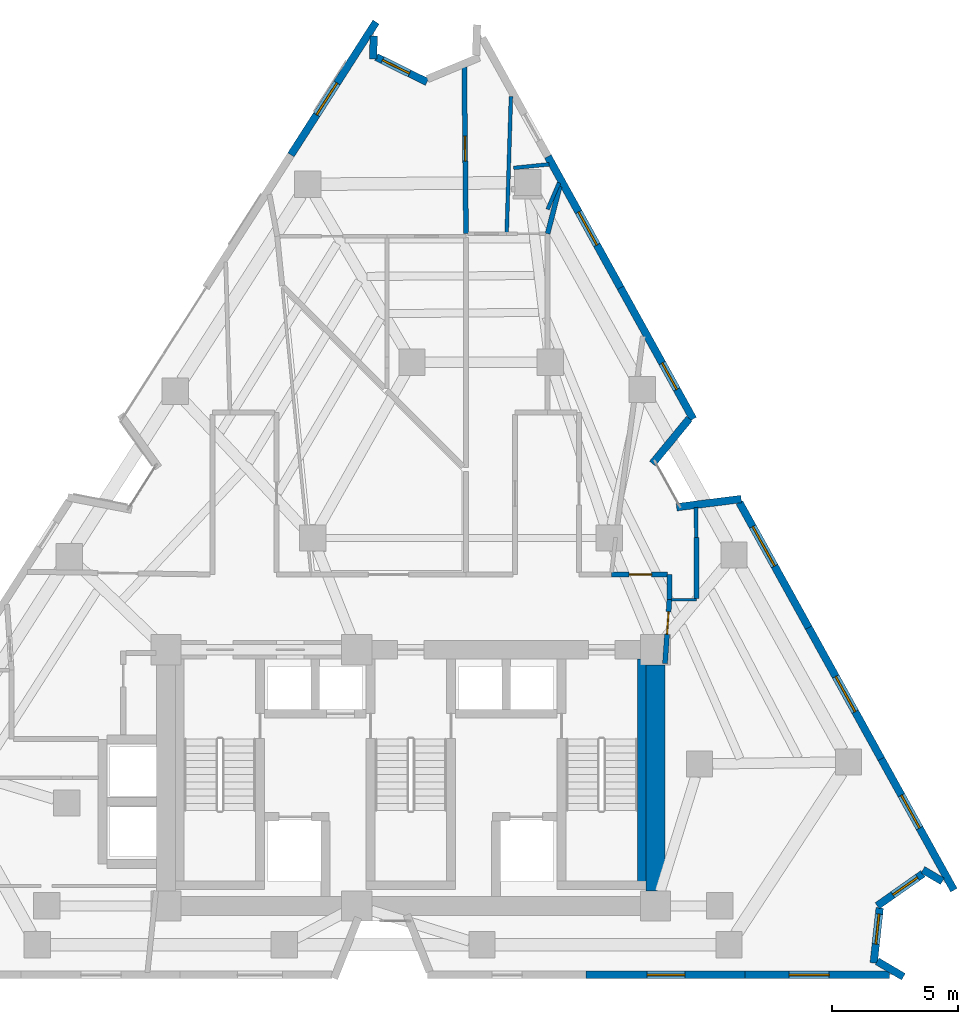
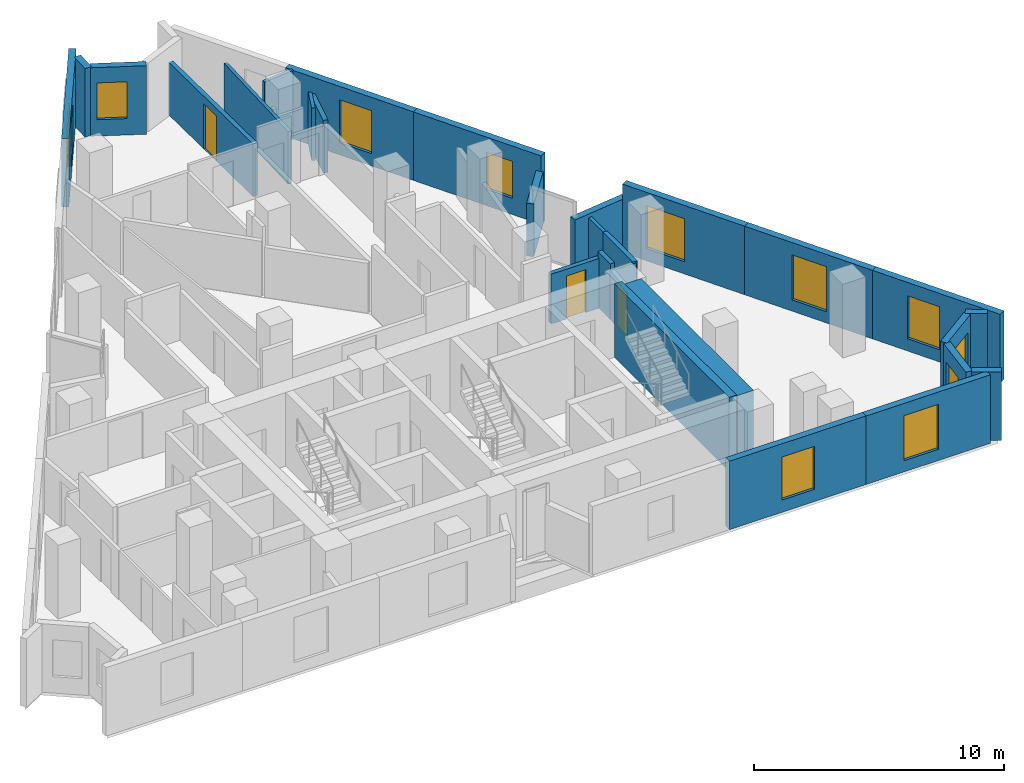
# One storey, part 8 of 10: 29 walls, 11 windows, 3 doors, 14 openings.
"""IFC4 building model written with IfcOpenShell, lengths in metres."""

from ifc_helpers import new_model, si_unit, direction, frame, frame_2d, origin, place, context, subcontext, project, spatial, rectangle, extrude, material, layer, layer_set, type_object, element, fill, save


model = new_model("IFC4")

# Units and contexts
model_context = context("Model", 3, precision=1e-05, world=origin(), true_north=direction((0.0, 1.0)))
body_context = subcontext(model_context, "Body", "Model", "MODEL_VIEW")
ifc_project = project(units=[si_unit("LENGTHUNIT", "METRE"), si_unit("AREAUNIT", "SQUARE_METRE"), si_unit("VOLUMEUNIT", "CUBIC_METRE"), si_unit("PLANEANGLEUNIT", "RADIAN"), si_unit("MASSUNIT", "GRAM", prefix="KILO")], contexts=[model_context])

# Site, building, storey
site_placement = place(None, origin())
site = spatial("IfcSite", under=ifc_project, at=site_placement, CompositionType="ELEMENT")
building_placement = place(site_placement, origin())
building = spatial("IfcBuilding", under=site, at=building_placement, Name="Almagre Mirador Tower", CompositionType="ELEMENT")
storey_placement = place(building_placement, frame((0.0, 0.0, 164.39990234375)))
storey = spatial("IfcBuildingStorey", under=building, at=storey_placement, Name="L42", CompositionType="ELEMENT", Elevation=164.39990234375)

# Wall, opening, window
ifc_material_1 = material(Name="Precast concrete C50/60", Category="concrete")
ifc_layer_1 = layer(ifc_material_1, 0.300048828125)
ifc_layer_set_1 = layer_set([ifc_layer_1], Name="Precast concrete C50/60")
wall_type_1 = type_object("IfcWallType", Name="WAL-EXT-300", PredefinedType="SOLIDWALL", material=ifc_layer_set_1)
wall_1_placement = place(storey_placement, frame((32.5283203125, 34.460693359375, 0.0), z_axis=(0.0, 0.0, 1.0), x_axis=(0.539505778621, 0.841981896976, 0.0)))
wall_1 = element("IfcWall", 1, at=wall_1_placement, inside=storey, type_object=wall_type_1, Name="L42 expressed almagre precast frame wall 04", PredefinedType="SOLIDWALL", context=body_context, shape_type="SweptSolid", body=[
    extrude(rectangle(XDim=6.281982421875, YDim=0.300048828125, at=frame_2d((3.14111328125, 0.0))), origin(), (0.0, 0.0, 1.0), 3.35009765625),
])
opening_1_placement = place(wall_1_placement, frame((1.89990234375, 0.0, 0.60009765625)))
opening_1 = element("IfcOpeningElement", 2, at=opening_1_placement, cuts=wall_1, Name="Opening WN-03", PredefinedType="OPENING", context=body_context, shape_type="SweptSolid", body=[
    extrude(rectangle(XDim=1.5, YDim=2.10009765625, at=frame_2d((0.75, 1.050048828125))), frame((0.0, 0.159902, 0.0), z_axis=(0.0, -1.0, 0.0), x_axis=(1.0, 0.0, 0.0)), (0.0, 0.0, 1.0), 0.320049),
])
ifc_material_2 = material(Name="Dark solar-control laminated hurricane glass", Category="glass")
window_type_1 = type_object("IfcWindowType", Name="WIN-1500X2100", PartitioningType="DOUBLE_PANEL_VERTICAL", PredefinedType="WINDOW", material=ifc_material_2)
window_1_placement = place(opening_1_placement, origin())
window_1 = element("IfcWindow", 3, at=window_1_placement, inside=storey, type_object=window_type_1, Name="L42 recessed hurricane window L42-UJ-ST", OverallHeight=2.10009765625, OverallWidth=1.5, PartitioningType="SINGLE_PANEL", PredefinedType="WINDOW", context=body_context, shape_type="SweptSolid", body=[
    extrude(rectangle(XDim=1.5, YDim=2.10009765625, at=frame_2d((0.75, 1.050048828125))), frame((0.0, 0.030029296875, 0.0), z_axis=(0.0, -1.0, 0.0), x_axis=(1.0, 0.0, 0.0)), (0.0, 0.0, 1.0), 0.06005859375),
])
fill(opening_1, window_1)

# Wall
wall_2_placement = place(storey_placement, frame((35.827880859375, 39.197265625, 0.0), z_axis=(0.0, 0.0, 1.0), x_axis=(-0.03185633333, -0.999492458214, 0.0)))
element("IfcWall", 4, at=wall_2_placement, inside=storey, type_object=wall_type_1, Name="L42 expressed almagre precast frame wall 05", PredefinedType="SOLIDWALL", context=body_context, shape_type="SweptSolid", body=[
    extrude(rectangle(XDim=0.919677734375, YDim=0.300048828125, at=frame_2d((0.4599609375, 0.0))), origin(), (0.0, 0.0, 1.0), 3.35009765625),
])

# Wall, opening, window
wall_3_placement = place(storey_placement, frame((35.928466796875, 38.35595703125, 0.0), z_axis=(0.0, 0.0, 1.0), x_axis=(0.896845505116, -0.442343915922, 0.0)))
wall_3 = element("IfcWall", 5, at=wall_3_placement, inside=storey, type_object=wall_type_1, Name="L42 expressed almagre precast frame wall 06", PredefinedType="SOLIDWALL", context=body_context, shape_type="SweptSolid", body=[
    extrude(rectangle(XDim=2.2490234375, YDim=0.300048828125, at=frame_2d((1.12451171875, 0.0))), origin(), (0.0, 0.0, 1.0), 3.35009765625),
])
opening_2_placement = place(wall_3_placement, frame((0.27001953125, 0.0, 0.800048828125)))
opening_2 = element("IfcOpeningElement", 6, at=opening_2_placement, cuts=wall_3, Name="Opening WN-04", PredefinedType="OPENING", context=body_context, shape_type="SweptSolid", body=[
    extrude(rectangle(XDim=1.199951171875, YDim=1.800048828125, at=frame_2d((0.60009765625, 0.89990234375))), frame((0.0, 0.159902, 0.0), z_axis=(0.0, -1.0, 0.0), x_axis=(1.0, 0.0, 0.0)), (0.0, 0.0, 1.0), 0.320049),
])
ifc_material_3 = material(Name="Dark solar-control laminated hurricane glass", Category="glass")
window_type_2 = type_object("IfcWindowType", Name="WIN-1200X1800", PartitioningType="SINGLE_PANEL", PredefinedType="WINDOW", material=ifc_material_3)
window_2_placement = place(opening_2_placement, origin())
window_2 = element("IfcWindow", 7, at=window_2_placement, inside=storey, type_object=window_type_2, Name="L42 recessed hurricane window L42-UJ-ST", OverallHeight=1.800048828125, OverallWidth=1.199951171875, PartitioningType="SINGLE_PANEL", PredefinedType="WINDOW", context=body_context, shape_type="SweptSolid", body=[
    extrude(rectangle(XDim=1.199951171875, YDim=1.800048828125, at=frame_2d((0.60009765625, 0.89990234375))), frame((0.0, 0.030029296875, 0.0), z_axis=(0.0, -1.0, 0.0), x_axis=(1.0, 0.0, 0.0)), (0.0, 0.0, 1.0), 0.06005859375),
])
fill(opening_2, window_2)

wall_4_placement = place(storey_placement, frame((42.76220703125, 34.394775390625, 0.0), z_axis=(0.0, 0.0, 1.0), x_axis=(0.484157246346, -0.874981005972, 0.0)))
wall_4 = element("IfcWall", 8, at=wall_4_placement, inside=storey, type_object=wall_type_1, Name="L42 expressed almagre precast frame wall 10", PredefinedType="SOLIDWALL", context=body_context, shape_type="SweptSolid", body=[
    extrude(rectangle(XDim=5.974365234375, YDim=0.300048828125, at=frame_2d((2.9873046875, 0.0))), origin(), (0.0, 0.0, 1.0), 3.35009765625),
])
opening_3_placement = place(wall_4_placement, frame((2.52490234375, 0.0, 0.60009765625)))
opening_3 = element("IfcOpeningElement", 9, at=opening_3_placement, cuts=wall_4, Name="Opening WN-03", PredefinedType="OPENING", context=body_context, shape_type="SweptSolid", body=[
    extrude(rectangle(XDim=1.5, YDim=2.10009765625, at=frame_2d((0.75, 1.050048828125))), frame((0.0, 0.159902, 0.0), z_axis=(0.0, -1.0, 0.0), x_axis=(1.0, 0.0, 0.0)), (0.0, 0.0, 1.0), 0.320049),
])
window_3_placement = place(opening_3_placement, origin())
window_3 = element("IfcWindow", 10, at=window_3_placement, inside=storey, type_object=window_type_1, Name="L42 recessed hurricane window L42-RST-H", OverallHeight=2.10009765625, OverallWidth=1.5, PartitioningType="SINGLE_PANEL", PredefinedType="WINDOW", context=body_context, shape_type="SweptSolid", body=[
    extrude(rectangle(XDim=1.5, YDim=2.10009765625, at=frame_2d((0.75, 1.050048828125))), frame((0.0, 0.030029296875, 0.0), z_axis=(0.0, -1.0, 0.0), x_axis=(1.0, 0.0, 0.0)), (0.0, 0.0, 1.0), 0.06005859375),
])
fill(opening_3, window_3)

wall_5_placement = place(storey_placement, frame((45.65478515625, 29.167236328125, 0.0), z_axis=(0.0, 0.0, 1.0), x_axis=(0.484202501475, -0.874955963215, 0.0)))
wall_5 = element("IfcWall", 11, at=wall_5_placement, inside=storey, type_object=wall_type_1, Name="L42 expressed almagre precast frame wall 11", PredefinedType="SOLIDWALL", context=body_context, shape_type="SweptSolid", body=[
    extrude(rectangle(XDim=5.974853515625, YDim=0.300048828125, at=frame_2d((2.9873046875, 0.0))), origin(), (0.0, 0.0, 1.0), 3.35009765625),
])
opening_4_placement = place(wall_5_placement, frame((3.425048828125, 0.0, 0.800048828125)))
opening_4 = element("IfcOpeningElement", 12, at=opening_4_placement, cuts=wall_5, Name="Opening WN-04", PredefinedType="OPENING", context=body_context, shape_type="SweptSolid", body=[
    extrude(rectangle(XDim=1.199951171875, YDim=1.800048828125, at=frame_2d((0.60009765625, 0.89990234375))), frame((0.0, 0.159902, 0.0), z_axis=(0.0, -1.0, 0.0), x_axis=(1.0, 0.0, 0.0)), (0.0, 0.0, 1.0), 0.320049),
])
window_4_placement = place(opening_4_placement, origin())
window_4 = element("IfcWindow", 13, at=window_4_placement, inside=storey, type_object=window_type_2, Name="L42 recessed hurricane window L42-UD-KT", OverallHeight=1.800048828125, OverallWidth=1.199951171875, PartitioningType="SINGLE_PANEL", PredefinedType="WINDOW", context=body_context, shape_type="SweptSolid", body=[
    extrude(rectangle(XDim=1.199951171875, YDim=1.800048828125, at=frame_2d((0.60009765625, 0.89990234375))), frame((0.0, 0.030029296875, 0.0), z_axis=(0.0, -1.0, 0.0), x_axis=(1.0, 0.0, 0.0)), (0.0, 0.0, 1.0), 0.06005859375),
])
fill(opening_4, window_4)

# Walls
wall_6_placement = place(storey_placement, frame((48.391357421875, 23.953857421875, 0.0), z_axis=(0.0, 0.0, 1.0), x_axis=(-0.634082112051, -0.773265720937, 0.0)))
element("IfcWall", 14, at=wall_6_placement, inside=storey, type_object=wall_type_1, Name="L42 expressed almagre precast frame wall 12", PredefinedType="SOLIDWALL", context=body_context, shape_type="SweptSolid", body=[
    extrude(rectangle(XDim=2.313720703125, YDim=0.300048828125, at=frame_2d((1.15673828125, 0.0))), origin(), (0.0, 0.0, 1.0), 2.5751953125),
])
wall_7_placement = place(storey_placement, frame((47.885986328125, 20.42724609375, 0.0), z_axis=(0.0, 0.0, 1.0), x_axis=(0.99195455838, 0.126594447388, 0.0)))
element("IfcWall", 15, at=wall_7_placement, inside=storey, type_object=wall_type_1, Name="L42 expressed almagre precast frame wall 13", PredefinedType="SOLIDWALL", context=body_context, shape_type="SweptSolid", body=[
    extrude(rectangle(XDim=2.59375, YDim=0.300048828125, at=frame_2d((1.296875, 0.0))), origin(), (0.0, 0.0, 1.0), 2.5751953125),
])

# Wall, opening, window
wall_8_placement = place(storey_placement, frame((50.3876953125, 20.615478515625, 0.0), z_axis=(0.0, 0.0, 1.0), x_axis=(0.484189890205, -0.8749629422, 0.0)))
wall_8 = element("IfcWall", 16, at=wall_8_placement, inside=storey, type_object=wall_type_1, Name="L42 expressed almagre precast frame wall 14", PredefinedType="SOLIDWALL", context=body_context, shape_type="SweptSolid", body=[
    extrude(rectangle(XDim=5.69482421875, YDim=0.300048828125, at=frame_2d((2.847412109375, 0.0))), origin(), (0.0, 0.0, 1.0), 3.35009765625),
])
opening_5_placement = place(wall_8_placement, frame((1.094970703125, 0.0, 0.60009765625)))
opening_5 = element("IfcOpeningElement", 17, at=opening_5_placement, cuts=wall_8, Name="Opening WN-01", PredefinedType="OPENING", context=body_context, shape_type="SweptSolid", body=[
    extrude(rectangle(XDim=1.800048828125, YDim=2.10009765625, at=frame_2d((0.89990234375, 1.050048828125))), frame((0.0, 0.159902, 0.0), z_axis=(0.0, -1.0, 0.0), x_axis=(1.0, 0.0, 0.0)), (0.0, 0.0, 1.0), 0.320049),
])
ifc_material_4 = material(Name="Dark solar-control laminated hurricane glass", Category="glass")
window_type_3 = type_object("IfcWindowType", Name="WIN-1800X2100", PartitioningType="DOUBLE_PANEL_VERTICAL", PredefinedType="WINDOW", material=ifc_material_4)
window_5_placement = place(opening_5_placement, origin())
window_5 = element("IfcWindow", 18, at=window_5_placement, inside=storey, type_object=window_type_3, Name="L42 recessed hurricane window L42-UD-BT", OverallHeight=2.10009765625, OverallWidth=1.800048828125, PartitioningType="SINGLE_PANEL", PredefinedType="WINDOW", context=body_context, shape_type="SweptSolid", body=[
    extrude(rectangle(XDim=1.800048828125, YDim=2.10009765625, at=frame_2d((0.89990234375, 1.050048828125))), frame((0.0, 0.030029296875, 0.0), z_axis=(0.0, -1.0, 0.0), x_axis=(1.0, 0.0, 0.0)), (0.0, 0.0, 1.0), 0.06005859375),
])
fill(opening_5, window_5)

wall_9_placement = place(storey_placement, frame((53.14501953125, 15.6328125, 0.0), z_axis=(0.0, 0.0, 1.0), x_axis=(0.484188530596, -0.874963694584, 0.0)))
wall_9 = element("IfcWall", 19, at=wall_9_placement, inside=storey, type_object=wall_type_1, Name="L42 expressed almagre precast frame wall 15", PredefinedType="SOLIDWALL", context=body_context, shape_type="SweptSolid", body=[
    extrude(rectangle(XDim=5.974609375, YDim=0.300048828125, at=frame_2d((2.9873046875, 0.0))), origin(), (0.0, 0.0, 1.0), 3.35009765625),
])
opening_6_placement = place(wall_9_placement, frame((2.22509765625, 0.0, 0.550048828125)))
opening_6 = element("IfcOpeningElement", 20, at=opening_6_placement, cuts=wall_9, Name="Opening WN-06", PredefinedType="OPENING", context=body_context, shape_type="SweptSolid", body=[
    extrude(rectangle(XDim=1.60009765625, YDim=2.199951171875, at=frame_2d((0.800048828125, 1.10009765625))), frame((0.0, 0.159902, 0.0), z_axis=(0.0, -1.0, 0.0), x_axis=(1.0, 0.0, 0.0)), (0.0, 0.0, 1.0), 0.320049),
])
ifc_material_5 = material(Name="Dark solar-control laminated hurricane glass", Category="glass")
window_type_4 = type_object("IfcWindowType", Name="WIN-1600X2200", PartitioningType="DOUBLE_PANEL_VERTICAL", PredefinedType="WINDOW", material=ifc_material_5)
window_6_placement = place(opening_6_placement, origin())
window_6 = element("IfcWindow", 21, at=window_6_placement, inside=storey, type_object=window_type_4, Name="L42 recessed hurricane window L42-UC-LV", OverallHeight=2.199951171875, OverallWidth=1.60009765625, PartitioningType="SINGLE_PANEL", PredefinedType="WINDOW", context=body_context, shape_type="SweptSolid", body=[
    extrude(rectangle(XDim=1.60009765625, YDim=2.199951171875, at=frame_2d((0.800048828125, 1.10009765625))), frame((0.0, 0.030029296875, 0.0), z_axis=(0.0, -1.0, 0.0), x_axis=(1.0, 0.0, 0.0)), (0.0, 0.0, 1.0), 0.06005859375),
])
fill(opening_6, window_6)

wall_10_placement = place(storey_placement, frame((56.037841796875, 10.4052734375, 0.0), z_axis=(0.0, 0.0, 1.0), x_axis=(0.484202501475, -0.874955963215, 0.0)))
wall_10 = element("IfcWall", 22, at=wall_10_placement, inside=storey, type_object=wall_type_1, Name="L42 expressed almagre precast frame wall 16", PredefinedType="SOLIDWALL", context=body_context, shape_type="SweptSolid", body=[
    extrude(rectangle(XDim=5.974853515625, YDim=0.300048828125, at=frame_2d((2.9873046875, 0.0))), origin(), (0.0, 0.0, 1.0), 3.35009765625),
])
opening_7_placement = place(wall_10_placement, frame((1.64990234375, 0.0, 0.60009765625)))
opening_7 = element("IfcOpeningElement", 23, at=opening_7_placement, cuts=wall_10, Name="Opening WN-03", PredefinedType="OPENING", context=body_context, shape_type="SweptSolid", body=[
    extrude(rectangle(XDim=1.5, YDim=2.10009765625, at=frame_2d((0.75, 1.050048828125))), frame((0.0, 0.159902, 0.0), z_axis=(0.0, -1.0, 0.0), x_axis=(1.0, 0.0, 0.0)), (0.0, 0.0, 1.0), 0.320049),
])
window_7_placement = place(opening_7_placement, origin())
window_7 = element("IfcWindow", 24, at=window_7_placement, inside=storey, type_object=window_type_1, Name="L42 recessed hurricane window L42-UC-MB", OverallHeight=2.10009765625, OverallWidth=1.5, PartitioningType="SINGLE_PANEL", PredefinedType="WINDOW", context=body_context, shape_type="SweptSolid", body=[
    extrude(rectangle(XDim=1.5, YDim=2.10009765625, at=frame_2d((0.75, 1.050048828125))), frame((0.0, 0.030029296875, 0.0), z_axis=(0.0, -1.0, 0.0), x_axis=(1.0, 0.0, 0.0)), (0.0, 0.0, 1.0), 0.06005859375),
])
fill(opening_7, window_7)

# Wall
wall_11_placement = place(storey_placement, frame((58.47119140625, 5.53125, 0.0), z_axis=(0.0, 0.0, 1.0), x_axis=(-0.861466375715, 0.5078146153, 0.0)))
element("IfcWall", 25, at=wall_11_placement, inside=storey, type_object=wall_type_1, Name="L42 expressed almagre precast frame wall 17", PredefinedType="SOLIDWALL", context=body_context, shape_type="SweptSolid", body=[
    extrude(rectangle(XDim=0.8994140625, YDim=0.300048828125, at=frame_2d((0.44970703125, 0.0))), origin(), (0.0, 0.0, 1.0), 3.35009765625),
])

# Wall, opening, window
wall_12_placement = place(storey_placement, frame((57.698486328125, 5.83349609375, 0.0), z_axis=(0.0, 0.0, 1.0), x_axis=(-0.817967042546, -0.575265084382, 0.0)))
wall_12 = element("IfcWall", 26, at=wall_12_placement, inside=storey, type_object=wall_type_1, Name="L42 expressed almagre precast frame wall 18", PredefinedType="SOLIDWALL", context=body_context, shape_type="SweptSolid", body=[
    extrude(rectangle(XDim=2.22509765625, YDim=0.300048828125, at=frame_2d((1.112548828125, 0.0))), origin(), (0.0, 0.0, 1.0), 3.35009765625),
])
opening_8_placement = place(wall_12_placement, frame((0.264892578125, 0.0, 0.800048828125)))
opening_8 = element("IfcOpeningElement", 27, at=opening_8_placement, cuts=wall_12, Name="Opening WN-04", PredefinedType="OPENING", context=body_context, shape_type="SweptSolid", body=[
    extrude(rectangle(XDim=1.199951171875, YDim=1.800048828125, at=frame_2d((0.60009765625, 0.89990234375))), frame((0.0, 0.159902, 0.0), z_axis=(0.0, -1.0, 0.0), x_axis=(1.0, 0.0, 0.0)), (0.0, 0.0, 1.0), 0.320049),
])
window_8_placement = place(opening_8_placement, origin())
window_8 = element("IfcWindow", 28, at=window_8_placement, inside=storey, type_object=window_type_2, Name="L42 recessed hurricane window L42-UC-MB", OverallHeight=1.800048828125, OverallWidth=1.199951171875, PartitioningType="SINGLE_PANEL", PredefinedType="WINDOW", context=body_context, shape_type="SweptSolid", body=[
    extrude(rectangle(XDim=1.199951171875, YDim=1.800048828125, at=frame_2d((0.60009765625, 0.89990234375))), frame((0.0, 0.030029296875, 0.0), z_axis=(0.0, -1.0, 0.0), x_axis=(1.0, 0.0, 0.0)), (0.0, 0.0, 1.0), 0.06005859375),
])
fill(opening_8, window_8)

wall_13_placement = place(storey_placement, frame((55.975341796875, 4.469970703125, 0.0), z_axis=(0.0, 0.0, 1.0), x_axis=(-0.107733264194, -0.994179834731, 0.0)))
wall_13 = element("IfcWall", 29, at=wall_13_placement, inside=storey, type_object=wall_type_1, Name="L42 expressed almagre precast frame wall 19", PredefinedType="SOLIDWALL", context=body_context, shape_type="SweptSolid", body=[
    extrude(rectangle(XDim=2.205078125, YDim=0.300048828125, at=frame_2d((1.1025390625, 0.0))), origin(), (0.0, 0.0, 1.0), 3.35009765625),
])
opening_9_placement = place(wall_13_placement, frame((0.2451171875, 0.0, 0.800048828125)))
opening_9 = element("IfcOpeningElement", 30, at=opening_9_placement, cuts=wall_13, Name="Opening WN-04", PredefinedType="OPENING", context=body_context, shape_type="SweptSolid", body=[
    extrude(rectangle(XDim=1.199951171875, YDim=1.800048828125, at=frame_2d((0.60009765625, 0.89990234375))), frame((0.0, 0.159902, 0.0), z_axis=(0.0, -1.0, 0.0), x_axis=(1.0, 0.0, 0.0)), (0.0, 0.0, 1.0), 0.320049),
])
window_9_placement = place(opening_9_placement, origin())
window_9 = element("IfcWindow", 31, at=window_9_placement, inside=storey, type_object=window_type_2, Name="L42 recessed hurricane window L42-UC-MB", OverallHeight=1.800048828125, OverallWidth=1.199951171875, PartitioningType="SINGLE_PANEL", PredefinedType="WINDOW", context=body_context, shape_type="SweptSolid", body=[
    extrude(rectangle(XDim=1.199951171875, YDim=1.800048828125, at=frame_2d((0.60009765625, 0.89990234375))), frame((0.0, 0.030029296875, 0.0), z_axis=(0.0, -1.0, 0.0), x_axis=(1.0, 0.0, 0.0)), (0.0, 0.0, 1.0), 0.06005859375),
])
fill(opening_9, window_9)

# Wall
wall_14_placement = place(storey_placement, frame((55.87353515625, 2.345947265625, 0.0), z_axis=(0.0, 0.0, 1.0), x_axis=(0.861577684209, -0.50762574213, 0.0)))
element("IfcWall", 32, at=wall_14_placement, inside=storey, type_object=wall_type_1, Name="L42 expressed almagre precast frame wall 20", PredefinedType="SOLIDWALL", context=body_context, shape_type="SweptSolid", body=[
    extrude(rectangle(XDim=1.21533203125, YDim=0.300048828125, at=frame_2d((0.607666015625, 0.0))), origin(), (0.0, 0.0, 1.0), 3.35009765625),
])

# Wall, opening, window
wall_15_placement = place(storey_placement, frame((56.360107421875, 1.800048828125, 0.0), z_axis=(0.0, 0.0, 1.0), x_axis=(-1.0, 0.0, 0.0)))
wall_15 = element("IfcWall", 33, at=wall_15_placement, inside=storey, type_object=wall_type_1, Name="L42 expressed almagre precast frame wall 21", PredefinedType="SOLIDWALL", context=body_context, shape_type="SweptSolid", body=[
    extrude(rectangle(XDim=5.746826171875, YDim=0.300048828125, at=frame_2d((2.87353515625, 0.0))), origin(), (0.0, 0.0, 1.0), 3.35009765625),
])
opening_10_placement = place(wall_15_placement, frame((2.39501953125, 0.0, 0.550048828125)))
opening_10 = element("IfcOpeningElement", 34, at=opening_10_placement, cuts=wall_15, Name="Opening WN-06", PredefinedType="OPENING", context=body_context, shape_type="SweptSolid", body=[
    extrude(rectangle(XDim=1.60009765625, YDim=2.199951171875, at=frame_2d((0.800048828125, 1.10009765625))), frame((0.0, 0.159902, 0.0), z_axis=(0.0, -1.0, 0.0), x_axis=(1.0, 0.0, 0.0)), (0.0, 0.0, 1.0), 0.320049),
])
window_10_placement = place(opening_10_placement, origin())
window_10 = element("IfcWindow", 35, at=window_10_placement, inside=storey, type_object=window_type_4, Name="L42 recessed hurricane window L42-UC-KT", OverallHeight=2.199951171875, OverallWidth=1.60009765625, PartitioningType="SINGLE_PANEL", PredefinedType="WINDOW", context=body_context, shape_type="SweptSolid", body=[
    extrude(rectangle(XDim=1.60009765625, YDim=2.199951171875, at=frame_2d((0.800048828125, 1.10009765625))), frame((0.0, 0.030029296875, 0.0), z_axis=(0.0, -1.0, 0.0), x_axis=(1.0, 0.0, 0.0)), (0.0, 0.0, 1.0), 0.06005859375),
])
fill(opening_10, window_10)

wall_16_placement = place(storey_placement, frame((50.61328125, 1.800048828125, 0.0), z_axis=(0.0, 0.0, 1.0), x_axis=(-1.0, 0.0, 0.0)))
wall_16 = element("IfcWall", 36, at=wall_16_placement, inside=storey, type_object=wall_type_1, Name="L42 expressed almagre precast frame wall 22", PredefinedType="SOLIDWALL", context=body_context, shape_type="SweptSolid", body=[
    extrude(rectangle(XDim=6.32666015625, YDim=0.300048828125, at=frame_2d((3.163330078125, 0.0))), origin(), (0.0, 0.0, 1.0), 3.35009765625),
])
opening_11_placement = place(wall_16_placement, frame((2.39990234375, 0.0, 0.60009765625)))
opening_11 = element("IfcOpeningElement", 37, at=opening_11_placement, cuts=wall_16, Name="Opening WN-03", PredefinedType="OPENING", context=body_context, shape_type="SweptSolid", body=[
    extrude(rectangle(XDim=1.5, YDim=2.10009765625, at=frame_2d((0.75, 1.050048828125))), frame((0.0, 0.159902, 0.0), z_axis=(0.0, -1.0, 0.0), x_axis=(1.0, 0.0, 0.0)), (0.0, 0.0, 1.0), 0.320049),
])
window_11_placement = place(opening_11_placement, origin())
window_11 = element("IfcWindow", 38, at=window_11_placement, inside=storey, type_object=window_type_1, Name="L42 recessed hurricane window L42-RST-B", OverallHeight=2.10009765625, OverallWidth=1.5, PartitioningType="SINGLE_PANEL", PredefinedType="WINDOW", context=body_context, shape_type="SweptSolid", body=[
    extrude(rectangle(XDim=1.5, YDim=2.10009765625, at=frame_2d((0.75, 1.050048828125))), frame((0.0, 0.030029296875, 0.0), z_axis=(0.0, -1.0, 0.0), x_axis=(1.0, 0.0, 0.0)), (0.0, 0.0, 1.0), 0.06005859375),
])
fill(opening_11, window_11)

# Walls
ifc_material_6 = material(Name="Gypsum acoustic stud partition", Category="other")
ifc_layer_2 = layer(ifc_material_6, 0.10009765625)
ifc_layer_set_2 = layer_set([ifc_layer_2], Name="Gypsum acoustic stud partition")
wall_type_2 = type_object("IfcWallType", Name="WAL-PRT-100-CLS", PredefinedType="PARTITIONING", material=ifc_layer_set_2)
wall_17_placement = place(storey_placement, frame((48.679931640625, 16.75, 0.0), z_axis=(0.0, 0.0, 1.0), x_axis=(-1.0, 0.0, 0.0)))
element("IfcWall", 39, at=wall_17_placement, inside=storey, type_object=wall_type_2, Name="L42 interior partition 032", PredefinedType="PARTITIONING", context=body_context, shape_type="SweptSolid", body=[
    extrude(rectangle(XDim=0.994873046875, YDim=0.10009765625, at=frame_2d((0.49755859375, 0.0))), origin(), (0.0, 0.0, 1.0), 2.39306640625),
])
ifc_material_7 = material(Name="Gypsum acoustic stud partition", Category="other")
ifc_layer_3 = layer(ifc_material_7, 0.14990234375)
ifc_layer_set_3 = layer_set([ifc_layer_3], Name="Gypsum acoustic stud partition")
wall_type_3 = type_object("IfcWallType", Name="WAL-PRT-150-STD", PredefinedType="PARTITIONING", material=ifc_layer_set_3)
wall_18_placement = place(storey_placement, frame((41.12109375, 31.367431640625, 0.0), z_axis=(0.0, 0.0, 1.0), x_axis=(0.03100123119, 0.999519346318, 0.0)))
element("IfcWall", 40, at=wall_18_placement, inside=storey, type_object=wall_type_3, Name="L42 interior partition 060", PredefinedType="PARTITIONING", context=body_context, shape_type="SweptSolid", body=[
    extrude(rectangle(XDim=5.418212890625, YDim=0.14990234375, at=frame_2d((2.708984375, 0.0))), origin(), (0.0, 0.0, 1.0), 2.570068359375),
])
wall_19_placement = place(storey_placement, frame((48.656982421875, 20.426025390625, 0.0), z_axis=(0.0, 0.0, 1.0), x_axis=(0.009108933821, -0.999958512802, 0.0)))
element("IfcWall", 41, at=wall_19_placement, inside=storey, type_object=wall_type_3, Name="L42 interior partition 061", PredefinedType="PARTITIONING", context=body_context, shape_type="SweptSolid", body=[
    extrude(rectangle(XDim=1.2060546875, YDim=0.14990234375, at=frame_2d((0.60302734375, 0.0))), origin(), (0.0, 0.0, 1.0), 2.39306640625),
])
wall_20_placement = place(storey_placement, frame((42.75, 32.2900390625, 0.0), z_axis=(0.0, 0.0, 1.0), x_axis=(0.3955030033, 0.918464683252, 0.0)))
element("IfcWall", 42, at=wall_20_placement, inside=storey, type_object=wall_type_3, Name="L42 interior partition 064", PredefinedType="PARTITIONING", context=body_context, shape_type="SweptSolid", body=[
    extrude(rectangle(XDim=1.153076171875, YDim=0.14990234375, at=frame_2d((0.57666015625, 0.0))), origin(), (0.0, 0.0, 1.0), 2.570068359375),
])
wall_21_placement = place(storey_placement, frame((41.39794921875, 33.93994140625, 0.0), z_axis=(0.0, 0.0, 1.0), x_axis=(0.994906914974, 0.10079796891, 0.0)))
element("IfcWall", 43, at=wall_21_placement, inside=storey, type_object=wall_type_3, Name="L42 interior partition 067", PredefinedType="PARTITIONING", context=body_context, shape_type="SweptSolid", body=[
    extrude(rectangle(XDim=1.41943359375, YDim=0.14990234375, at=frame_2d((0.709716796875, 0.0))), origin(), (0.0, 0.0, 1.0), 3.35009765625),
])

# Wall, opening, door
ifc_material_8 = material(Name="Gypsum acoustic stud partition", Category="other")
ifc_layer_4 = layer(ifc_material_8, 0.199951171875)
ifc_layer_set_4 = layer_set([ifc_layer_4], Name="Gypsum acoustic stud partition")
wall_type_4 = type_object("IfcWallType", Name="WAL-PRT-200-EI60", PredefinedType="PARTITIONING", material=ifc_layer_set_4)
wall_22_placement = place(storey_placement, frame((47.425048828125, 14.199951171875, 0.0), z_axis=(0.0, 0.0, 1.0), x_axis=(0.068484119878, 0.997652206595, 0.0)))
wall_22 = element("IfcWall", 44, at=wall_22_placement, inside=storey, type_object=wall_type_4, Name="L42 interior partition 004", PredefinedType="PARTITIONING", context=body_context, shape_type="SweptSolid", body=[
    extrude(rectangle(XDim=2.55615234375, YDim=0.199951171875, at=frame_2d((1.278076171875, 0.0))), origin(), (0.0, 0.0, 1.0), 2.39306640625),
])
opening_12_placement = place(wall_22_placement, frame((1.172119140625, 0.0, 0.0)))
opening_12 = element("IfcOpeningElement", 45, at=opening_12_placement, cuts=wall_22, Name="Opening ID-03", PredefinedType="OPENING", context=body_context, shape_type="SweptSolid", body=[
    extrude(rectangle(XDim=0.89990234375, YDim=2.10009765625, at=frame_2d((0.449951171875, 1.050048828125))), frame((0.0, 0.110098, 0.0), z_axis=(0.0, -1.0, 0.0), x_axis=(1.0, 0.0, 0.0)), (0.0, 0.0, 1.0), 0.219951),
])
ifc_material_9 = material(Name="Fire-rated hollow steel", Category="steel")
door_type_1 = type_object("IfcDoorType", Name="DOR-FD60-900X2100", OperationType="NOTDEFINED", PredefinedType="DOOR", material=ifc_material_9)
door_1_placement = place(opening_12_placement, origin())
door_1 = element("IfcDoor", 46, at=door_1_placement, inside=storey, type_object=door_type_1, Name="DR-1348 L42 interior door L42-RCOR to L42-RST-B", OperationType="SINGLE_SWING_LEFT", OverallHeight=2.10009765625, OverallWidth=0.89990234375, PredefinedType="DOOR", context=body_context, shape_type="SweptSolid", body=[
    extrude(rectangle(XDim=0.89990234375, YDim=2.10009765625, at=frame_2d((0.449951171875, 1.050048828125))), frame((0.0, 0.02490234375, 0.0), z_axis=(0.0, -1.0, 0.0), x_axis=(1.0, 0.0, 0.0)), (0.0, 0.0, 1.0), 0.050048828125),
])
fill(opening_12, door_1)

# Wall
wall_23_placement = place(storey_placement, frame((47.60009765625, 16.75, 0.0), z_axis=(0.0, 0.0, 1.0), x_axis=(0.0, 1.0, 0.0)))
element("IfcWall", 47, at=wall_23_placement, inside=storey, type_object=wall_type_4, Name="L42 interior partition 005", PredefinedType="PARTITIONING", context=body_context, shape_type="SweptSolid", body=[
    extrude(rectangle(XDim=1.0, YDim=0.199951171875, at=frame_2d((0.5, 0.0))), origin(), (0.0, 0.0, 1.0), 2.712158203125),
])

# Wall, opening, door
wall_24_placement = place(storey_placement, frame((47.514892578125, 17.75, 0.0), z_axis=(0.0, 0.0, 1.0), x_axis=(-1.0, 0.0, 0.0)))
wall_24 = element("IfcWall", 48, at=wall_24_placement, inside=storey, type_object=wall_type_4, Name="L42 interior partition 006", PredefinedType="PARTITIONING", context=body_context, shape_type="SweptSolid", body=[
    extrude(rectangle(XDim=2.224853515625, YDim=0.199951171875, at=frame_2d((1.1123046875, 0.0))), origin(), (0.0, 0.0, 1.0), 2.43603515625),
])
opening_13_placement = place(wall_24_placement, frame((0.6201171875, 0.0, 0.0)))
opening_13 = element("IfcOpeningElement", 49, at=opening_13_placement, cuts=wall_24, Name="Opening ID-03", PredefinedType="OPENING", context=body_context, shape_type="SweptSolid", body=[
    extrude(rectangle(XDim=0.89990234375, YDim=2.10009765625, at=frame_2d((0.449951171875, 1.050048828125))), frame((0.0, 0.110098, 0.0), z_axis=(0.0, -1.0, 0.0), x_axis=(1.0, 0.0, 0.0)), (0.0, 0.0, 1.0), 0.219951),
])
door_2_placement = place(opening_13_placement, origin())
door_2 = element("IfcDoor", 50, at=door_2_placement, inside=storey, type_object=door_type_1, Name="DR-1353 L42 interior door L42-RCOR to L42-UD-ST", OperationType="SINGLE_SWING_RIGHT", OverallHeight=2.10009765625, OverallWidth=0.89990234375, PredefinedType="DOOR", context=body_context, shape_type="SweptSolid", body=[
    extrude(rectangle(XDim=0.89990234375, YDim=2.10009765625, at=frame_2d((0.449951171875, 1.050048828125))), frame((0.0, 0.02490234375, 0.0), z_axis=(0.0, -1.0, 0.0), x_axis=(1.0, 0.0, 0.0)), (0.0, 0.0, 1.0), 0.050048828125),
])
fill(opening_13, door_2)

# Walls
wall_25_placement = place(storey_placement, frame((48.679931640625, 16.784912109375, 0.0), z_axis=(0.0, 0.0, 1.0), x_axis=(0.0, 1.0, 0.0)))
element("IfcWall", 51, at=wall_25_placement, inside=storey, type_object=wall_type_4, Name="L42 interior partition 039", PredefinedType="PARTITIONING", context=body_context, shape_type="SweptSolid", body=[
    extrude(rectangle(XDim=2.43505859375, YDim=0.199951171875, at=frame_2d((1.217529296875, 0.0))), origin(), (0.0, 0.0, 1.0), 2.39306640625),
])
wall_26_placement = place(storey_placement, frame((43.23046875, 33.20166015625, 0.0), z_axis=(0.0, 0.0, 1.0), x_axis=(-0.247413379041, -0.968910016396, 0.0)))
element("IfcWall", 52, at=wall_26_placement, inside=storey, type_object=wall_type_4, Name="L42 interior partition 051", PredefinedType="PARTITIONING", context=body_context, shape_type="SweptSolid", body=[
    extrude(rectangle(XDim=1.94189453125, YDim=0.199951171875, at=frame_2d((0.970947265625, 0.0))), origin(), (0.0, 0.0, 1.0), 2.570068359375),
])

# Wall, opening, door
wall_27_placement = place(storey_placement, frame((39.5, 31.320068359375, 0.0), z_axis=(0.0, 0.0, 1.0), x_axis=(-0.010545456067, 0.999944395132, 0.0)))
wall_27 = element("IfcWall", 53, at=wall_27_placement, inside=storey, type_object=wall_type_4, Name="L42 interior partition 054", PredefinedType="PARTITIONING", context=body_context, shape_type="SweptSolid", body=[
    extrude(rectangle(XDim=6.64453125, YDim=0.199951171875, at=frame_2d((3.322265625, 0.0))), origin(), (0.0, 0.0, 1.0), 2.570068359375),
])
opening_14_placement = place(wall_27_placement, frame((2.888671875, 0.0, 0.0)))
opening_14 = element("IfcOpeningElement", 54, at=opening_14_placement, cuts=wall_27, Name="Opening ID-01", PredefinedType="OPENING", context=body_context, shape_type="SweptSolid", body=[
    extrude(rectangle(XDim=1.0, YDim=2.199951171875, at=frame_2d((0.5, 1.10009765625))), frame((0.0, 0.110098, 0.0), z_axis=(0.0, -1.0, 0.0), x_axis=(1.0, 0.0, 0.0)), (0.0, 0.0, 1.0), 0.219951),
])
ifc_material_10 = material(Name="Fire-rated walnut timber", Category="wood")
door_type_2 = type_object("IfcDoorType", Name="DOR-FD60-1000X2200", OperationType="NOTDEFINED", PredefinedType="DOOR", material=ifc_material_10)
door_3_placement = place(opening_14_placement, origin())
door_3 = element("IfcDoor", 55, at=door_3_placement, inside=storey, type_object=door_type_2, Name="DR-1363 L42 interior door L42-UJ-ST to L42-UK-KT", OperationType="SINGLE_SWING_LEFT", OverallHeight=2.199951171875, OverallWidth=1.0, PredefinedType="DOOR", context=body_context, shape_type="SweptSolid", body=[
    extrude(rectangle(XDim=1.0, YDim=2.199951171875, at=frame_2d((0.5, 1.10009765625))), frame((0.0, 0.02490234375, 0.0), z_axis=(0.0, -1.0, 0.0), x_axis=(1.0, 0.0, 0.0)), (0.0, 0.0, 1.0), 0.050048828125),
])
fill(opening_14, door_3)

# Walls
ifc_material_11 = material(Name="Concrete C60/75", Category="concrete")
ifc_layer_5 = layer(ifc_material_11, 0.35009765625)
ifc_layer_set_5 = layer_set([ifc_layer_5], Name="Concrete C60/75")
wall_type_5 = type_object("IfcWallType", Name="WAL-SHF-350", PredefinedType="SOLIDWALL", material=ifc_layer_set_5)
wall_28_placement = place(storey_placement, frame((46.5, 5.199951171875, 0.0), z_axis=(0.0, 0.0, 1.0), x_axis=(0.0, 1.0, 0.0)))
element("IfcWall", 56, at=wall_28_placement, inside=storey, type_object=wall_type_5, Name="L42 shaft wall ST3-E", PredefinedType="SOLIDWALL", context=body_context, shape_type="SweptSolid", body=[
    extrude(rectangle(XDim=9.175048828125, YDim=0.35009765625, at=frame_2d((4.58740234375, 0.0))), origin(), (0.0, 0.0, 1.0), 3.60009765625),
])
ifc_material_12 = material(Name="Concrete C60/75", Category="concrete")
ifc_layer_6 = layer(ifc_material_12, 0.75)
ifc_layer_set_6 = layer_set([ifc_layer_6], Name="Concrete C60/75")
wall_type_6 = type_object("IfcWallType", Name="WAL-SHR-750", PredefinedType="SHEAR", material=ifc_layer_set_6)
wall_29_placement = place(storey_placement, frame((47.050048828125, 5.14990234375, 0.0), z_axis=(0.0, 0.0, 1.0), x_axis=(0.0, 1.0, 0.0)))
element("IfcWall", 57, at=wall_29_placement, inside=storey, type_object=wall_type_6, Name="L42 core shear wall E1", PredefinedType="SHEAR", context=body_context, shape_type="SweptSolid", body=[
    extrude(rectangle(XDim=9.0, YDim=0.75, at=frame_2d((4.5, 0.0))), origin(), (0.0, 0.0, 1.0), 3.60009765625),
])

save(model, "model.ifc")
